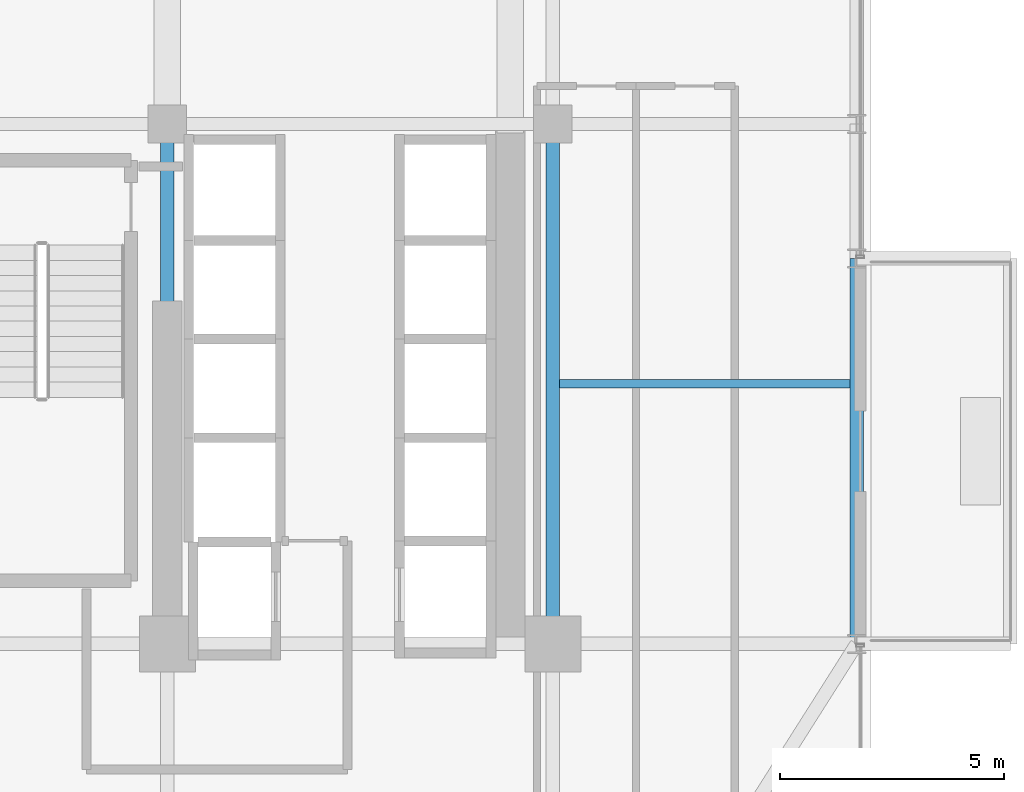
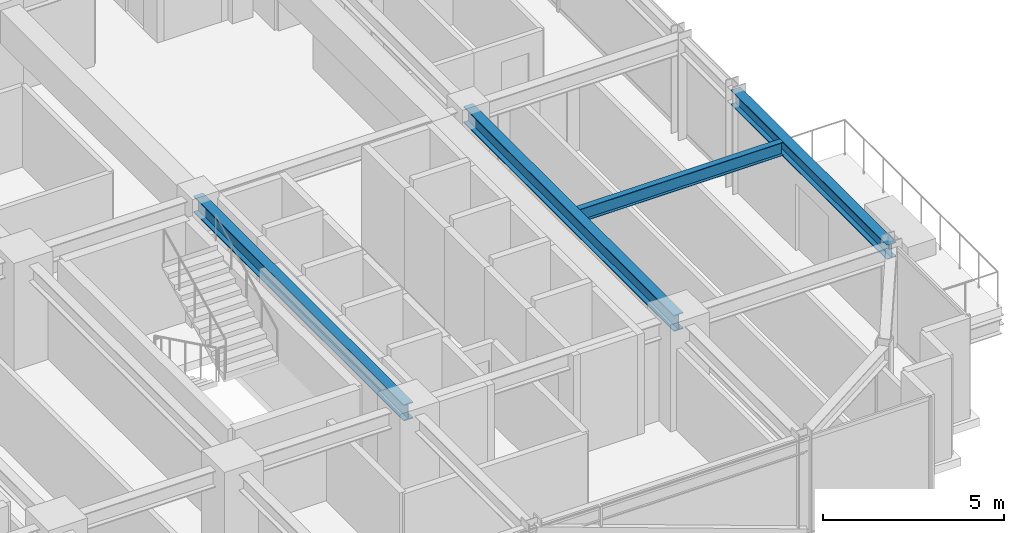
# One storey, part 12 of 34: 4 beams.
"""IFC4 building model written with IfcOpenShell, lengths in metres."""

from ifc_helpers import new_model, si_unit, direction, frame, origin, origin_2d, place, context, subcontext, project, spatial, i_section, extrude, source, transform, mapped, material, material_profile, profile_set, type_object, element, save


model = new_model("IFC4")

# Units and contexts
model_context = context("Model", 3, precision=1e-05, world=origin(), true_north=direction((0.0, 1.0)))
body_context = subcontext(model_context, "Body", "Model", "MODEL_VIEW")
ifc_project = project(units=[si_unit("LENGTHUNIT", "METRE"), si_unit("AREAUNIT", "SQUARE_METRE"), si_unit("VOLUMEUNIT", "CUBIC_METRE"), si_unit("PLANEANGLEUNIT", "RADIAN"), si_unit("MASSUNIT", "GRAM", prefix="KILO")], contexts=[model_context])

# Site, building, storey
site_placement = place(None, origin())
site = spatial("IfcSite", under=ifc_project, at=site_placement, CompositionType="ELEMENT")
building_placement = place(site_placement, origin())
building = spatial("IfcBuilding", under=site, at=building_placement, Name="Nahalor Promenade Grand Hotel", CompositionType="ELEMENT")
storey_placement = place(building_placement, frame((0.0, 0.0, 99.25)))
storey = spatial("IfcBuildingStorey", under=building, at=storey_placement, Name="L24", CompositionType="ELEMENT", Elevation=99.25)

# Beams
ifc_material = material(Name="Steel S355JR", Category="steel")
ifc_material_profile_1 = material_profile(ifc_material, i_section(OverallWidth=0.3, OverallDepth=0.5, WebThickness=0.0145, FlangeThickness=0.028, at=origin_2d()), Name="HEB 500")
ifc_profile_set_1 = profile_set([ifc_material_profile_1], Name="Steel S355JR")
beam_type_1 = type_object("IfcBeamType", Name="Beam-Spandrel-HEB500", PredefinedType="SPANDREL", material=ifc_profile_set_1)
shared_shape_1 = source(origin(), body_context, "Body", "SweptSolid", [
    extrude(i_section(OverallWidth=0.3, OverallDepth=0.5, WebThickness=0.0145, FlangeThickness=0.028, at=origin_2d()), origin(), (0.0, 0.0, 1.0), 8.60009765625),
])
beam_1_placement = place(storey_placement, frame((23.780029296875, -17.0, 3.1298828125), z_axis=(0.0, 1.0, 0.0), x_axis=(-1.0, 0.0, 0.0)))
element("IfcBeam", 1, at=beam_1_placement, inside=storey, type_object=beam_type_1, Name="BM-L24-SP-E-0", PredefinedType="SPANDREL", context=body_context, shape_type="MappedRepresentation", body=[
    mapped(shared_shape_1, transform((0.0, 0.0, 0.0), scale=1.0)),
])
ifc_material_profile_2 = material_profile(ifc_material, i_section(OverallWidth=0.3, OverallDepth=0.55, WebThickness=0.015, FlangeThickness=0.029, at=origin_2d()), Name="HEB 550")
ifc_profile_set_2 = profile_set([ifc_material_profile_2], Name="Steel S355JR")
beam_type_2 = type_object("IfcBeamType", Name="Beam-Girder-HEB550", PredefinedType="BEAM", material=ifc_profile_set_2)
shared_shape_2 = source(origin(), body_context, "Body", "SweptSolid", [
    extrude(i_section(OverallWidth=0.3, OverallDepth=0.55, WebThickness=0.015, FlangeThickness=0.029, at=origin_2d()), origin(), (0.0, 0.0, 1.0), 11.60009765625),
])
for number, where, z_axis, x_axis, name in (
    (2, (8.39990234375, -17.0, 3.10498046875), (0.0, 1.0, 0.0), (-1.0, 0.0, 0.0), "BM-L24-GY-4-1"),
    (3, (17.0, -17.0, 3.10498046875), (0.0, 1.0, 0.0), (-1.0, 0.0, 0.0), "BM-L24-GY-5-1"),
):
    element("IfcBeam", number, at=place(storey_placement, frame(where, z_axis=z_axis, x_axis=x_axis)), inside=storey, type_object=beam_type_2, Name=name, PredefinedType="BEAM", context=body_context, shape_type="MappedRepresentation", body=[
        mapped(shared_shape_2, transform((0.0, 0.0, 0.0), scale=1.0)),
    ])
ifc_material_profile_3 = material_profile(ifc_material, i_section(OverallWidth=0.19, OverallDepth=0.45, WebThickness=0.0094, FlangeThickness=0.0146, at=origin_2d()), Name="IPE 450")
ifc_profile_set_3 = profile_set([ifc_material_profile_3], Name="Steel S355JR")
beam_type_3 = type_object("IfcBeamType", Name="Beam-Joist-IPE450", PredefinedType="JOIST", material=ifc_profile_set_3)
shared_shape_3 = source(origin(), body_context, "Body", "SweptSolid", [
    extrude(i_section(OverallWidth=0.19, OverallDepth=0.45, WebThickness=0.0094, FlangeThickness=0.0146, at=origin_2d()), origin(), (0.0, 0.0, 1.0), 6.47998046875),
])
beam_2_placement = place(storey_placement, frame((17.14990234375, -11.199951171875, 3.155029296875), z_axis=(1.0, 0.0, 0.0), x_axis=(0.0, 1.0, 0.0)))
element("IfcBeam", 4, at=beam_2_placement, inside=storey, type_object=beam_type_3, Name="BM-L24-JSE-0-2", PredefinedType="JOIST", context=body_context, shape_type="MappedRepresentation", body=[
    mapped(shared_shape_3, transform((0.0, 0.0, 0.0), scale=1.0)),
])

save(model, "model.ifc")
